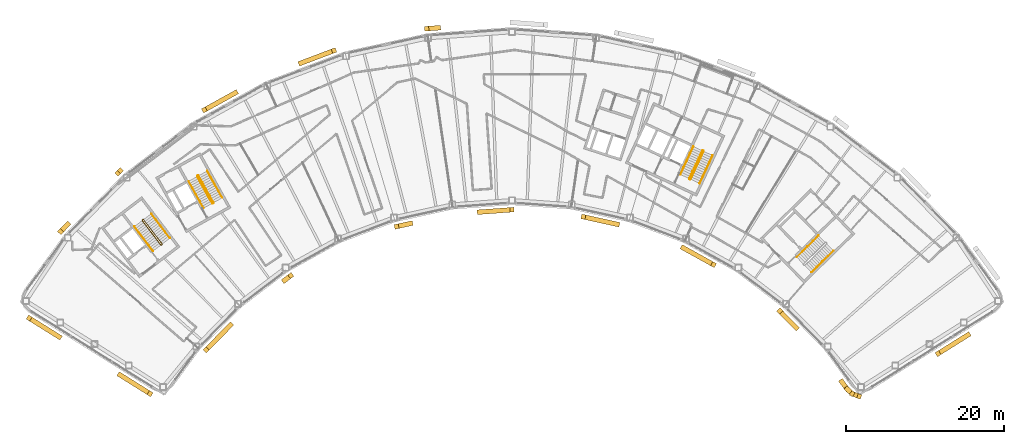
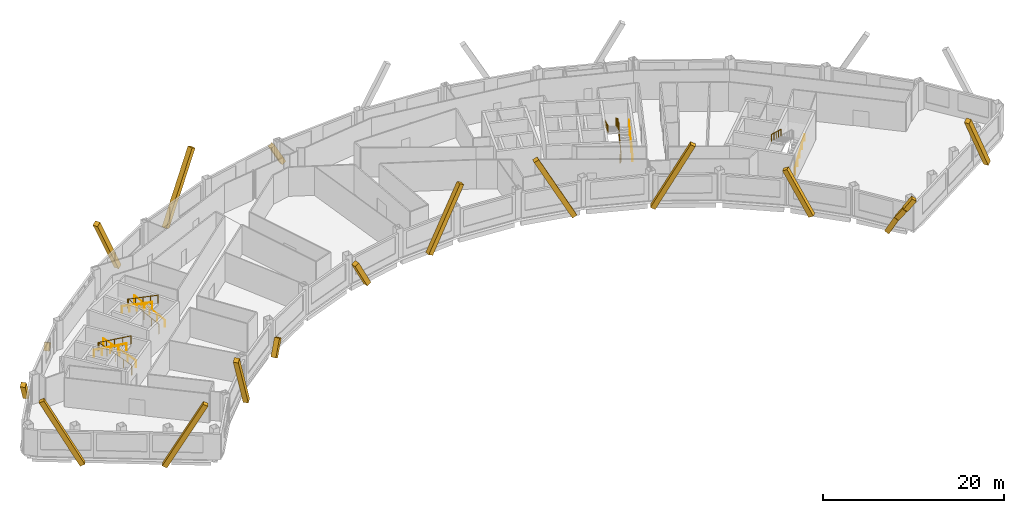
# One storey, part 13 of 14: 18 coverings, 11 railings.
"""IFC4 building model written with IfcOpenShell, lengths in metres."""

import ifcopenshell
import ifcopenshell.guid

model = None  # the IFC model being written
_history = None  # IfcOwnerHistory: only IFC2X3 demands one
_inside = {}  # id of a spatial element -> (the spatial element, [elements in it])
_under = {}  # id of a project, library or spatial element -> (it, [spatial elements below it])
_declared = {}  # id of a project -> (the project, [libraries it declares])
_typed = {}  # id of a type object -> (the type object, [elements of that type])
_made_of = {}  # id of a material, layer set ... -> (it, [elements and type objects made of it])


def new_model(schema):
    """Start an empty IFC model of exactly this schema.

    Asked for "IFC4X3", IfcOpenShell would pick the latest addendum, in which some entities
    have other attributes; the version numbers below select the first issue.
    IFC2X3 requires an IfcOwnerHistory on every rooted entity: one is made here for all.
    """
    global model, _history
    if schema == "IFC4X3":
        model = ifcopenshell.file(schema_version=(4, 3, 0, 0))
    else:
        model = ifcopenshell.file(schema=schema)
    _inside.clear()
    _under.clear()
    _declared.clear()
    _typed.clear()
    _made_of.clear()
    _history = None
    if model.schema == "IFC2X3":
        org = make("IfcOrganization", Name="unknown")
        user = make(
            "IfcPersonAndOrganization",
            ThePerson=make("IfcPerson", FamilyName="unknown"),
            TheOrganization=org,
        )
        app = make(
            "IfcApplication",
            ApplicationDeveloper=org,
            Version="unknown",
            ApplicationFullName="unknown",
            ApplicationIdentifier="unknown",
        )
        _history = make(
            "IfcOwnerHistory",
            OwningUser=user,
            OwningApplication=app,
            ChangeAction="ADDED",
            CreationDate=0,
        )
    return model


def make(cls, **values):
    """One entity of the class cls with the attributes given. An attribute that is None is left unset."""
    return model.create_entity(
        cls, **{name: value for name, value in values.items() if value is not None}
    )


def rooted(cls, **values):
    """An entity with a GlobalId (a new one), such as an element, a storey or a relation."""
    return make(cls, GlobalId=ifcopenshell.guid.new(), OwnerHistory=_history, **values)


def si_unit(unit_type, name, prefix=None):
    """IfcSIUnit, for example si_unit("LENGTHUNIT", "METRE", prefix="MILLI")."""
    return make("IfcSIUnit", UnitType=unit_type, Prefix=prefix, Name=name)


def assignment(units):
    """IfcUnitAssignment: the units of a project."""
    return None if units is None else make("IfcUnitAssignment", Units=units)


def point(xyz):
    """IfcCartesianPoint."""
    return None if xyz is None else make("IfcCartesianPoint", Coordinates=xyz)


def direction(xyz):
    """IfcDirection."""
    return None if xyz is None else make("IfcDirection", DirectionRatios=xyz)


def frame(location, z_axis=None, x_axis=None):
    """IfcAxis2Placement3D, a coordinate frame: its origin and axes. An axis left out is left unset."""
    return make(
        "IfcAxis2Placement3D",
        Location=point(location),
        Axis=direction(z_axis),
        RefDirection=direction(x_axis),
    )


def frame_2d(location, x_axis=None):
    """IfcAxis2Placement2D, a coordinate frame in the plane: its origin and x axis."""
    return make(
        "IfcAxis2Placement2D", Location=point(location), RefDirection=direction(x_axis)
    )


def origin():
    """The frame at (0, 0, 0) with its axes left unset."""
    return frame((0.0, 0.0, 0.0))


def origin_2d():
    """The frame at (0, 0) in the plane with its x axis left unset."""
    return frame_2d((0.0, 0.0))


def place(relative_to, where):
    """IfcLocalPlacement: puts the frame where relative to a parent placement (None: the world)."""
    return make(
        "IfcLocalPlacement", PlacementRelTo=relative_to, RelativePlacement=where
    )


def context(
    kind, dimensions, precision=None, world=None, true_north=None, identifier=None
):
    """IfcGeometricRepresentationContext, for example the 3D "Model" context."""
    return make(
        "IfcGeometricRepresentationContext",
        ContextIdentifier=identifier,
        ContextType=kind,
        CoordinateSpaceDimension=dimensions,
        Precision=precision,
        WorldCoordinateSystem=world,
        TrueNorth=true_north,
    )


def subcontext(parent, identifier, kind, view, scale=None):
    """IfcGeometricRepresentationSubContext, for example "Body" below "Model"."""
    return make(
        "IfcGeometricRepresentationSubContext",
        ContextIdentifier=identifier,
        ContextType=kind,
        ParentContext=parent,
        TargetScale=scale,
        TargetView=view,
    )


def project(units=None, contexts=None):
    """IfcProject with its units and contexts."""
    return rooted(
        "IfcProject",
        Name="project",
        RepresentationContexts=contexts,
        UnitsInContext=assignment(units),
    )


def spatial(cls, under=None, at=None, **own):
    """A site, building, storey or space (cls), placed at a placement, below another one or the project."""
    s = rooted(cls, ObjectPlacement=at, **own)
    if under is not None:
        _under.setdefault(under.id(), (under, []))[1].append(s)
    return s


def profile(cls, at=None, kind="AREA", **sizes):
    """A parametric profile (cls). Its sizes go by their IFC names, for example OverallWidth=200.0."""
    return make(cls, ProfileType=kind, Position=at, **sizes)


def rectangle(**sizes):
    """IfcRectangleProfileDef."""
    return profile("IfcRectangleProfileDef", **sizes)


def circle(**sizes):
    """IfcCircleProfileDef."""
    return profile("IfcCircleProfileDef", **sizes)


def extrude(swept, where, along, depth):
    """IfcExtrudedAreaSolid: the profile swept, set in the frame where, extruded along a direction by depth."""
    return make(
        "IfcExtrudedAreaSolid",
        SweptArea=swept,
        Position=where,
        ExtrudedDirection=direction(along),
        Depth=depth,
    )


def shape(context_of_items, identifier, shape_type, items):
    """IfcShapeRepresentation: the items that make up one representation, for example the "Body"."""
    return make(
        "IfcShapeRepresentation",
        ContextOfItems=context_of_items,
        RepresentationIdentifier=identifier,
        RepresentationType=shape_type,
        Items=items,
    )


def material(Name=None, Category=None):
    """IfcMaterial."""
    return make("IfcMaterial", Name=Name, Category=Category)


def material_profile(
    of_material, cross_section, Name=None, Category=None, Priority=None
):
    """IfcMaterialProfile: a cross section and its material."""
    return make(
        "IfcMaterialProfile",
        Name=Name,
        Material=of_material,
        Profile=cross_section,
        Priority=Priority,
        Category=Category,
    )


def profile_set(profiles, Name=None, composite=None):
    """IfcMaterialProfileSet."""
    return make(
        "IfcMaterialProfileSet",
        Name=Name,
        MaterialProfiles=profiles,
        CompositeProfile=composite,
    )


def made_of(thing, what):
    """Note that an element or type object is made of a material, layer set ...; save() writes the relation."""
    if what is not None:
        _made_of.setdefault(what.id(), (what, []))[1].append(thing)
    return thing


def type_object(cls, material=None, **own):
    """A type object (cls), such as IfcWallType, which elements share."""
    return made_of(rooted(cls, **own), material)


def element(
    cls,
    number,
    at=None,
    inside=None,
    cuts=None,
    type_object=None,
    material=None,
    context=None,
    identifier="Body",
    shape_type=None,
    held_by="IfcProductDefinitionShape",
    body=None,
    shapes=None,
    **own,
):
    """One element of the class cls, such as IfcWall. Its Tag is "e" and its number.

    at: its placement. inside: the storey or other place that contains it. cuts: it is an
    opening in that element (IfcRelVoidsElement). A single representation is given by context,
    identifier, shape_type and body (its items); several are given by shapes. held_by: the class
    of the entity that holds the representations. save() writes the other relations.
    """
    e = rooted(cls, Tag="e%d" % number, ObjectPlacement=at, **own)
    if body is not None:
        shapes = [shape(context, identifier, shape_type, body)]
    if shapes is not None:
        e.Representation = make(held_by, Representations=shapes)
    if inside is not None:
        _inside.setdefault(inside.id(), (inside, []))[1].append(e)
    if cuts is not None:
        rooted(
            "IfcRelVoidsElement", RelatingBuildingElement=cuts, RelatedOpeningElement=e
        )
    if type_object is not None:
        _typed.setdefault(type_object.id(), (type_object, []))[1].append(e)
    return made_of(e, material)


def aggregate(whole, parts):
    """IfcRelAggregates: a whole, such as a stair, and the parts it consists of."""
    return rooted("IfcRelAggregates", RelatingObject=whole, RelatedObjects=parts)


def save(model, path):
    """Write the relations noted so far, then the file.

    IfcRelAggregates (storeys below a building ...), IfcRelContainedInSpatialStructure (elements
    in a storey), IfcRelDefinesByType, IfcRelAssociatesMaterial and IfcRelDeclares: one each for
    every whole, place, type object, material and project.
    """
    for whole, parts in _under.values():
        aggregate(whole, parts)
    for where, things in _inside.values():
        rooted(
            "IfcRelContainedInSpatialStructure",
            RelatedElements=things,
            RelatingStructure=where,
        )
    for kind, things in _typed.values():
        rooted("IfcRelDefinesByType", RelatedObjects=things, RelatingType=kind)
    for what, things in _made_of.values():
        rooted("IfcRelAssociatesMaterial", RelatedObjects=things, RelatingMaterial=what)
    for by, libraries in _declared.values():
        rooted("IfcRelDeclares", RelatingContext=by, RelatedDefinitions=libraries)
    model.write(path)


model = new_model("IFC4")

# Units and contexts
model_context = context("Model", 3, precision=1e-05, world=origin(), true_north=direction((0.0, 1.0)))
body_context = subcontext(model_context, "Body", "Model", "MODEL_VIEW")
ifc_project = project(units=[si_unit("LENGTHUNIT", "METRE"), si_unit("AREAUNIT", "SQUARE_METRE"), si_unit("VOLUMEUNIT", "CUBIC_METRE"), si_unit("PLANEANGLEUNIT", "RADIAN"), si_unit("MASSUNIT", "GRAM", prefix="KILO")], contexts=[model_context])

# Site, building, storey
site_placement = place(None, origin())
site = spatial("IfcSite", under=ifc_project, at=site_placement, CompositionType="ELEMENT")
building_placement = place(site_placement, origin())
building = spatial("IfcBuilding", under=site, at=building_placement, Name="Tuul Gate Civic Tower", CompositionType="ELEMENT")
storey_placement = place(building_placement, frame((0.0, 0.0, 256.800048828125)))
storey = spatial("IfcBuildingStorey", under=building, at=storey_placement, Name="Level 58", CompositionType="ELEMENT", Elevation=256.800048828125)

# Railings
ifc_material_1 = material(Name="Painted steel", Category="steel")
railing_type_1 = type_object("IfcRailingType", Name="Stair guard", PredefinedType="GUARDRAIL", material=ifc_material_1)
railing_1_placement = place(storey_placement, frame((-33.382080078125, -13.515380859375, 0.0)))
element("IfcRailing", 1, at=railing_1_placement, inside=storey, type_object=railing_type_1, Name="Level 58 ST-1 stair guard 1", PredefinedType="GUARDRAIL", context=body_context, shape_type="SweptSolid", body=[
    extrude(circle(Radius=0.02392578125, at=origin_2d()), frame((0.0, 0.0, 1.076171875), z_axis=(-0.795879841968, -0.605454603706, 0.0), x_axis=(0.605454603706, -0.795879841968, 0.0)), (0.0, 0.0, 1.0), 0.10009765625),
    extrude(circle(Radius=0.02392578125, at=origin_2d()), frame((-0.07958984375, -0.060546875, 1.076171875), z_axis=(0.408991890351, 0.599481263939, 0.688002796371), x_axis=(-0.826063974707, 0.563576356576, 0.0)), (0.0, 0.0, 1.0), 0.2177734375),
    extrude(circle(Radius=0.02392578125, at=origin_2d()), frame((0.009521484375, 0.070068359375, 1.22607421875), z_axis=(-0.541824460341, 0.711645023348, 0.447199748346), x_axis=(-0.795637165283, -0.60577347352, 0.0)), (0.0, 0.0, 1.0), 4.3603515625),
    extrude(circle(Radius=0.02392578125, at=origin_2d()), frame((-2.35302734375, 3.173095703125, 3.17578125), z_axis=(-0.990893089246, 0.134650977284, 0.0), x_axis=(-0.134650977284, -0.990893089246, 0.0)), (0.0, 0.0, 1.0), 0.07080078125),
    extrude(circle(Radius=0.02392578125, at=origin_2d()), frame((-2.423095703125, 3.1826171875, 3.17578125), z_axis=(-0.793802879778, -0.60817512943, 0.0), x_axis=(0.60817512943, -0.793802879778, 0.0)), (0.0, 0.0, 1.0), 0.099853515625),
    extrude(circle(Radius=0.02392578125, at=origin_2d()), frame((-2.50244140625, 3.121826171875, 3.17578125), z_axis=(-0.057370624079, -0.422188951554, 0.904690610473), x_axis=(0.990893089246, -0.134650977284, 0.0)), (0.0, 0.0, 1.0), 0.166015625),
    extrude(circle(Radius=0.02392578125, at=origin_2d()), frame((-2.511962890625, 3.0517578125, 3.326171875), z_axis=(0.541806494602, -0.71163897684, 0.447231136047), x_axis=(0.795644365679, 0.605764016233, 0.0)), (0.0, 0.0, 1.0), 4.360107421875),
    extrude(circle(Radius=0.02099609375, at=origin_2d()), origin(), (0.0, 0.0, 1.0), 1.052001953125),
    extrude(circle(Radius=0.02099609375, at=origin_2d()), frame((-0.07958984375, -0.060546875, 0.0)), (0.0, 0.0, 1.0), 1.052001953125),
    extrude(circle(Radius=0.02099609375, at=origin_2d()), frame((0.009521484375, 0.070068359375, 0.14990234375)), (0.0, 0.0, 1.0), 1.052001953125),
    extrude(circle(Radius=0.02099609375, at=origin_2d()), frame((-0.5810546875, 0.845703125, 0.637451171875)), (0.0, 0.0, 1.0), 1.052001953125),
    extrude(circle(Radius=0.02099609375, at=origin_2d()), frame((-1.171875, 1.62158203125, 1.125)), (0.0, 0.0, 1.0), 1.052001953125),
    extrude(circle(Radius=0.02099609375, at=origin_2d()), frame((-1.762451171875, 2.3974609375, 1.6123046875)), (0.0, 0.0, 1.0), 1.052001953125),
    extrude(circle(Radius=0.02099609375, at=origin_2d()), frame((-2.35302734375, 3.173095703125, 2.099853515625)), (0.0, 0.0, 1.0), 1.052001953125),
    extrude(circle(Radius=0.02099609375, at=origin_2d()), frame((-2.423095703125, 3.1826171875, 2.099853515625)), (0.0, 0.0, 1.0), 1.052001953125),
    extrude(circle(Radius=0.02099609375, at=origin_2d()), frame((-2.50244140625, 3.121826171875, 2.099853515625)), (0.0, 0.0, 1.0), 1.052001953125),
    extrude(circle(Radius=0.02099609375, at=origin_2d()), frame((-2.511962890625, 3.0517578125, 2.25)), (0.0, 0.0, 1.0), 1.052001953125),
    extrude(circle(Radius=0.02099609375, at=origin_2d()), frame((-1.92138671875, 2.276123046875, 2.737548828125)), (0.0, 0.0, 1.0), 1.052001953125),
    extrude(circle(Radius=0.02099609375, at=origin_2d()), frame((-1.330810546875, 1.50048828125, 3.22509765625)), (0.0, 0.0, 1.0), 1.052001953125),
    extrude(circle(Radius=0.02099609375, at=origin_2d()), frame((-0.740234375, 0.724609375, 3.71240234375)), (0.0, 0.0, 1.0), 1.052001953125),
    extrude(circle(Radius=0.02099609375, at=origin_2d()), frame((-0.149658203125, -0.051025390625, 4.199951171875)), (0.0, 0.0, 1.0), 1.052001953125),
])
railing_2_placement = place(storey_placement, frame((-26.857666015625, -8.247314453125, 0.0)))
element("IfcRailing", 2, at=railing_2_placement, inside=storey, type_object=railing_type_1, Name="Level 58 ST-2 stair guard 1", PredefinedType="GUARDRAIL", context=body_context, shape_type="SweptSolid", body=[
    extrude(circle(Radius=0.02392578125, at=origin_2d()), frame((0.0, 0.0, 1.076171875), z_axis=(-0.874616555828, -0.48481530532, 0.0), x_axis=(0.48481530532, -0.874616555828, 0.0)), (0.0, 0.0, 1.0), 0.10009765625),
    extrude(circle(Radius=0.02392578125, at=origin_2d()), frame((-0.087646484375, -0.048583984375, 1.076171875), z_axis=(0.49081399482, 0.534516610797, 0.688036056665), x_axis=(-0.736576986774, 0.676353711126, 0.0)), (0.0, 0.0, 1.0), 0.2177734375),
    extrude(circle(Radius=0.02392578125, at=origin_2d()), frame((0.019287109375, 0.06787109375, 1.22607421875), z_axis=(-0.43354991378, 0.782327185242, 0.447212083348), x_axis=(-0.874667644053, -0.484723129681, 0.0)), (0.0, 0.0, 1.0), 4.3603515625),
    extrude(circle(Radius=0.02392578125, at=origin_2d()), frame((-1.87109375, 3.47900390625, 3.17578125), z_axis=(-0.961263487578, 0.275631107549, 0.0), x_axis=(-0.275631107549, -0.961263487578, 0.0)), (0.0, 0.0, 1.0), 0.07080078125),
    extrude(circle(Radius=0.02392578125, at=origin_2d()), frame((-1.939208984375, 3.49853515625, 3.17578125), z_axis=(-0.874042088414, -0.485850211157, 0.0), x_axis=(0.485850211157, -0.874042088414, 0.0)), (0.0, 0.0, 1.0), 0.10009765625),
    extrude(circle(Radius=0.02392578125, at=origin_2d()), frame((-2.026611328125, 3.449951171875, 3.17578125), z_axis=(-0.117709570447, -0.409040757305, 0.904892322815), x_axis=(0.961000426733, -0.276546885391, 0.0)), (0.0, 0.0, 1.0), 0.166015625),
    extrude(circle(Radius=0.02392578125, at=origin_2d()), frame((-2.046142578125, 3.382080078125, 3.326171875), z_axis=(0.433595379963, -0.782308193291, 0.447201226726), x_axis=(0.874641102302, 0.484771020343, 0.0)), (0.0, 0.0, 1.0), 4.3603515625),
    extrude(circle(Radius=0.02099609375, at=origin_2d()), origin(), (0.0, 0.0, 1.0), 1.052001953125),
    extrude(circle(Radius=0.02099609375, at=origin_2d()), frame((-0.087646484375, -0.048583984375, 0.0)), (0.0, 0.0, 1.0), 1.052001953125),
    extrude(circle(Radius=0.02099609375, at=origin_2d()), frame((0.019287109375, 0.06787109375, 0.14990234375)), (0.0, 0.0, 1.0), 1.052001953125),
    extrude(circle(Radius=0.02099609375, at=origin_2d()), frame((-0.453369140625, 0.920654296875, 0.637451171875)), (0.0, 0.0, 1.0), 1.052001953125),
    extrude(circle(Radius=0.02099609375, at=origin_2d()), frame((-0.92578125, 1.7734375, 1.125)), (0.0, 0.0, 1.0), 1.052001953125),
    extrude(circle(Radius=0.02099609375, at=origin_2d()), frame((-1.3984375, 2.626220703125, 1.6123046875)), (0.0, 0.0, 1.0), 1.052001953125),
    extrude(circle(Radius=0.02099609375, at=origin_2d()), frame((-1.87109375, 3.47900390625, 2.099853515625)), (0.0, 0.0, 1.0), 1.052001953125),
    extrude(circle(Radius=0.02099609375, at=origin_2d()), frame((-1.939208984375, 3.49853515625, 2.099853515625)), (0.0, 0.0, 1.0), 1.052001953125),
    extrude(circle(Radius=0.02099609375, at=origin_2d()), frame((-2.026611328125, 3.449951171875, 2.099853515625)), (0.0, 0.0, 1.0), 1.052001953125),
    extrude(circle(Radius=0.02099609375, at=origin_2d()), frame((-2.046142578125, 3.382080078125, 2.25)), (0.0, 0.0, 1.0), 1.052001953125),
    extrude(circle(Radius=0.02099609375, at=origin_2d()), frame((-1.573486328125, 2.529296875, 2.737548828125)), (0.0, 0.0, 1.0), 1.052001953125),
    extrude(circle(Radius=0.02099609375, at=origin_2d()), frame((-1.100830078125, 1.676513671875, 3.22509765625)), (0.0, 0.0, 1.0), 1.052001953125),
    extrude(circle(Radius=0.02099609375, at=origin_2d()), frame((-0.628173828125, 0.82373046875, 3.71240234375)), (0.0, 0.0, 1.0), 1.052001953125),
    extrude(circle(Radius=0.02099609375, at=origin_2d()), frame((-0.155517578125, -0.029052734375, 4.199951171875)), (0.0, 0.0, 1.0), 1.052001953125),
])
railing_3_placement = place(storey_placement, frame((33.645751953125, -5.238525390625, 0.0)))
element("IfcRailing", 3, at=railing_3_placement, inside=storey, type_object=railing_type_1, Name="Level 58 ST-4 stair guard 1", PredefinedType="GUARDRAIL", context=body_context, shape_type="SweptSolid", body=[
    extrude(circle(Radius=0.02392578125, at=origin_2d()), frame((0.0, 0.0, 1.076171875), z_axis=(-0.906307919131, 0.422617978463, 0.0), x_axis=(-0.422617978463, -0.906307919131, 0.0)), (0.0, 0.0, 1.0), 0.099853515625),
    extrude(circle(Radius=0.02392578125, at=origin_2d()), frame((-0.090576171875, 0.042236328125, 1.076171875), z_axis=(0.720735628292, -0.082946246491, 0.688229666829), x_axis=(0.114330889033, 0.993442724979, 0.0)), (0.0, 0.0, 1.0), 0.2177734375),
    extrude(circle(Radius=0.02392578125, at=origin_2d()), frame((0.06640625, 0.024169921875, 1.22607421875), z_axis=(0.377946903738, 0.810654114417, 0.447209173356), x_axis=(-0.906336612539, 0.422556439746, 0.0)), (0.0, 0.0, 1.0), 4.3603515625),
    extrude(circle(Radius=0.02392578125, at=origin_2d()), frame((1.71435546875, 3.558837890625, 3.17578125), z_axis=(-0.342020437038, 0.939692513883, 0.0), x_axis=(-0.939692513883, -0.342020437038, 0.0)), (0.0, 0.0, 1.0), 0.070556640625),
    extrude(circle(Radius=0.02392578125, at=origin_2d()), frame((1.690185546875, 3.625244140625, 3.17578125), z_axis=(-0.906307919131, 0.422617978463, 0.0), x_axis=(-0.422617978463, -0.906307919131, 0.0)), (0.0, 0.0, 1.0), 0.099853515625),
    extrude(circle(Radius=0.02392578125, at=origin_2d()), frame((1.599609375, 3.66748046875, 3.17578125), z_axis=(-0.400168791901, -0.145649670582, 0.904793408159), x_axis=(0.342020437038, -0.939692513883, 0.0)), (0.0, 0.0, 1.0), 0.166015625),
    extrude(circle(Radius=0.02392578125, at=origin_2d()), frame((1.533203125, 3.643310546875, 3.326171875), z_axis=(-0.377946903738, -0.810654114417, 0.447209173356), x_axis=(0.906336612539, -0.422556439746, 0.0)), (0.0, 0.0, 1.0), 4.3603515625),
    extrude(circle(Radius=0.02099609375, at=origin_2d()), origin(), (0.0, 0.0, 1.0), 1.052001953125),
    extrude(circle(Radius=0.02099609375, at=origin_2d()), frame((-0.090576171875, 0.042236328125, 0.0)), (0.0, 0.0, 1.0), 1.052001953125),
    extrude(circle(Radius=0.02099609375, at=origin_2d()), frame((0.06640625, 0.024169921875, 0.14990234375)), (0.0, 0.0, 1.0), 1.052001953125),
    extrude(circle(Radius=0.02099609375, at=origin_2d()), frame((0.478515625, 0.90771484375, 0.637451171875)), (0.0, 0.0, 1.0), 1.052001953125),
    extrude(circle(Radius=0.02099609375, at=origin_2d()), frame((0.890380859375, 1.79150390625, 1.125)), (0.0, 0.0, 1.0), 1.052001953125),
    extrude(circle(Radius=0.02099609375, at=origin_2d()), frame((1.30224609375, 2.67529296875, 1.6123046875)), (0.0, 0.0, 1.0), 1.052001953125),
    extrude(circle(Radius=0.02099609375, at=origin_2d()), frame((1.71435546875, 3.558837890625, 2.099853515625)), (0.0, 0.0, 1.0), 1.052001953125),
    extrude(circle(Radius=0.02099609375, at=origin_2d()), frame((1.690185546875, 3.625244140625, 2.099853515625)), (0.0, 0.0, 1.0), 1.052001953125),
    extrude(circle(Radius=0.02099609375, at=origin_2d()), frame((1.599609375, 3.66748046875, 2.099853515625)), (0.0, 0.0, 1.0), 1.052001953125),
    extrude(circle(Radius=0.02099609375, at=origin_2d()), frame((1.533203125, 3.643310546875, 2.25)), (0.0, 0.0, 1.0), 1.052001953125),
    extrude(circle(Radius=0.02099609375, at=origin_2d()), frame((1.12109375, 2.759765625, 2.737548828125)), (0.0, 0.0, 1.0), 1.052001953125),
    extrude(circle(Radius=0.02099609375, at=origin_2d()), frame((0.709228515625, 1.8759765625, 3.22509765625)), (0.0, 0.0, 1.0), 1.052001953125),
    extrude(circle(Radius=0.02099609375, at=origin_2d()), frame((0.29736328125, 0.9921875, 3.71240234375)), (0.0, 0.0, 1.0), 1.052001953125),
    extrude(circle(Radius=0.02099609375, at=origin_2d()), frame((-0.11474609375, 0.108642578125, 4.199951171875)), (0.0, 0.0, 1.0), 1.052001953125),
])
ifc_material_2 = material(Name="Painted steel", Category="steel")
railing_type_2 = type_object("IfcRailingType", Name="Stair handrail", PredefinedType="HANDRAIL", material=ifc_material_2)
railing_4_placement = place(storey_placement, frame((-32.3779296875, -12.688232421875, 0.14990234375)))
element("IfcRailing", 4, at=railing_4_placement, inside=storey, type_object=railing_type_2, Name="Level 58 ST-1 stair handrail 1", PredefinedType="HANDRAIL", context=body_context, shape_type="SweptSolid", body=[
    extrude(circle(Radius=0.02392578125, at=origin_2d()), frame((0.0, 0.0, 0.8759765625), z_axis=(-0.541824460341, 0.711645023348, 0.447199748346), x_axis=(-0.795637165283, -0.60577347352, 0.0)), (0.0, 0.0, 1.0), 4.3603515625),
    extrude(circle(Radius=0.02099609375, at=origin_2d()), origin(), (0.0, 0.0, 1.0), 0.851806640625),
    extrude(circle(Radius=0.02099609375, at=origin_2d()), frame((-0.590576171875, 0.77587890625, 0.487548828125)), (0.0, 0.0, 1.0), 0.851806640625),
    extrude(circle(Radius=0.02099609375, at=origin_2d()), frame((-1.18115234375, 1.551513671875, 0.97509765625)), (0.0, 0.0, 1.0), 0.851806640625),
    extrude(circle(Radius=0.02099609375, at=origin_2d()), frame((-1.77197265625, 2.3271484375, 1.46240234375)), (0.0, 0.0, 1.0), 0.851806640625),
    extrude(circle(Radius=0.02099609375, at=origin_2d()), frame((-2.362548828125, 3.10302734375, 1.949951171875)), (0.0, 0.0, 1.0), 0.851806640625),
])
railing_5_placement = place(storey_placement, frame((-36.888671875, -11.220703125, 2.25)))
element("IfcRailing", 5, at=railing_5_placement, inside=storey, type_object=railing_type_2, Name="Level 58 ST-1 stair handrail 2", PredefinedType="HANDRAIL", context=body_context, shape_type="SweptSolid", body=[
    extrude(circle(Radius=0.02392578125, at=origin_2d()), frame((0.0, 0.0, 0.8759765625), z_axis=(0.541824460341, -0.711645023348, 0.447199748346), x_axis=(0.795637165283, 0.60577347352, 0.0)), (0.0, 0.0, 1.0), 4.3603515625),
    extrude(circle(Radius=0.02099609375, at=origin_2d()), origin(), (0.0, 0.0, 1.0), 0.851806640625),
    extrude(circle(Radius=0.02099609375, at=origin_2d()), frame((0.590576171875, -0.77587890625, 0.487548828125)), (0.0, 0.0, 1.0), 0.851806640625),
    extrude(circle(Radius=0.02099609375, at=origin_2d()), frame((1.18115234375, -1.551513671875, 0.97509765625)), (0.0, 0.0, 1.0), 0.851806640625),
    extrude(circle(Radius=0.02099609375, at=origin_2d()), frame((1.77197265625, -2.3271484375, 1.46240234375)), (0.0, 0.0, 1.0), 0.851806640625),
    extrude(circle(Radius=0.02099609375, at=origin_2d()), frame((2.362548828125, -3.10302734375, 1.949951171875)), (0.0, 0.0, 1.0), 0.851806640625),
])
railing_6_placement = place(storey_placement, frame((-25.744873046875, -7.573486328125, 0.14990234375)))
element("IfcRailing", 6, at=railing_6_placement, inside=storey, type_object=railing_type_2, Name="Level 58 ST-2 stair handrail 1", PredefinedType="HANDRAIL", context=body_context, shape_type="SweptSolid", body=[
    extrude(circle(Radius=0.02392578125, at=origin_2d()), frame((0.0, 0.0, 0.8759765625), z_axis=(-0.433595379963, 0.782308193291, 0.447201226726), x_axis=(-0.874641102302, -0.484771020343, 0.0)), (0.0, 0.0, 1.0), 4.3603515625),
    extrude(circle(Radius=0.02099609375, at=origin_2d()), origin(), (0.0, 0.0, 1.0), 0.851806640625),
    extrude(circle(Radius=0.02099609375, at=origin_2d()), frame((-0.47265625, 0.852783203125, 0.487548828125)), (0.0, 0.0, 1.0), 0.851806640625),
    extrude(circle(Radius=0.02099609375, at=origin_2d()), frame((-0.9453125, 1.70556640625, 0.97509765625)), (0.0, 0.0, 1.0), 0.851806640625),
    extrude(circle(Radius=0.02099609375, at=origin_2d()), frame((-1.41796875, 2.558349609375, 1.46240234375)), (0.0, 0.0, 1.0), 0.851806640625),
    extrude(circle(Radius=0.02099609375, at=origin_2d()), frame((-1.890625, 3.4111328125, 1.949951171875)), (0.0, 0.0, 1.0), 0.851806640625),
])
railing_7_placement = place(storey_placement, frame((-29.9970703125, -5.47119140625, 2.25)))
element("IfcRailing", 7, at=railing_7_placement, inside=storey, type_object=railing_type_2, Name="Level 58 ST-2 stair handrail 2", PredefinedType="HANDRAIL", context=body_context, shape_type="SweptSolid", body=[
    extrude(circle(Radius=0.02392578125, at=origin_2d()), frame((0.0, 0.0, 0.8759765625), z_axis=(0.433595379963, -0.782308193291, 0.447201226726), x_axis=(0.874641102302, 0.484771020343, 0.0)), (0.0, 0.0, 1.0), 4.3603515625),
    extrude(circle(Radius=0.02099609375, at=origin_2d()), origin(), (0.0, 0.0, 1.0), 0.851806640625),
    extrude(circle(Radius=0.02099609375, at=origin_2d()), frame((0.47265625, -0.852783203125, 0.487548828125)), (0.0, 0.0, 1.0), 0.851806640625),
    extrude(circle(Radius=0.02099609375, at=origin_2d()), frame((0.9453125, -1.70556640625, 0.97509765625)), (0.0, 0.0, 1.0), 0.851806640625),
    extrude(circle(Radius=0.02099609375, at=origin_2d()), frame((1.41796875, -2.558349609375, 1.46240234375)), (0.0, 0.0, 1.0), 0.851806640625),
    extrude(circle(Radius=0.02099609375, at=origin_2d()), frame((1.890625, -3.4111328125, 1.949951171875)), (0.0, 0.0, 1.0), 0.851806640625),
])
railing_8_placement = place(storey_placement, frame((49.05126953125, -17.028076171875, 0.14990234375)))
element("IfcRailing", 8, at=railing_8_placement, inside=storey, type_object=railing_type_2, Name="Level 58 ST-3 stair handrail 1", PredefinedType="HANDRAIL", context=body_context, shape_type="SweptSolid", body=[
    extrude(circle(Radius=0.02392578125, at=origin_2d()), frame((0.0, 0.0, 0.8759765625), z_axis=(0.638753653487, 0.626099522554, 0.447205945863), x_axis=(-0.699997553204, 0.714145241186, 0.0)), (0.0, 0.0, 1.0), 4.3603515625),
    extrude(circle(Radius=0.02099609375, at=origin_2d()), origin(), (0.0, 0.0, 1.0), 0.851806640625),
    extrude(circle(Radius=0.02099609375, at=origin_2d()), frame((0.6962890625, 0.6826171875, 0.487548828125)), (0.0, 0.0, 1.0), 0.851806640625),
    extrude(circle(Radius=0.02099609375, at=origin_2d()), frame((1.392578125, 1.364990234375, 0.97509765625)), (0.0, 0.0, 1.0), 0.851806640625),
    extrude(circle(Radius=0.02099609375, at=origin_2d()), frame((2.0888671875, 2.04736328125, 1.46240234375)), (0.0, 0.0, 1.0), 0.851806640625),
    extrude(circle(Radius=0.02099609375, at=origin_2d()), frame((2.78515625, 2.72998046875, 1.949951171875)), (0.0, 0.0, 1.0), 0.851806640625),
])
railing_9_placement = place(storey_placement, frame((49.9462890625, -12.369873046875, 2.25)))
element("IfcRailing", 9, at=railing_9_placement, inside=storey, type_object=railing_type_2, Name="Level 58 ST-3 stair handrail 2", PredefinedType="HANDRAIL", context=body_context, shape_type="SweptSolid", body=[
    extrude(circle(Radius=0.02392578125, at=origin_2d()), frame((0.0, 0.0, 0.8759765625), z_axis=(-0.638753653487, -0.626099522554, 0.447205945863), x_axis=(0.699997553204, -0.714145241186, 0.0)), (0.0, 0.0, 1.0), 4.3603515625),
    extrude(circle(Radius=0.02099609375, at=origin_2d()), origin(), (0.0, 0.0, 1.0), 0.851806640625),
    extrude(circle(Radius=0.02099609375, at=origin_2d()), frame((-0.6962890625, -0.6826171875, 0.487548828125)), (0.0, 0.0, 1.0), 0.851806640625),
    extrude(circle(Radius=0.02099609375, at=origin_2d()), frame((-1.392578125, -1.364990234375, 0.97509765625)), (0.0, 0.0, 1.0), 0.851806640625),
    extrude(circle(Radius=0.02099609375, at=origin_2d()), frame((-2.0888671875, -2.04736328125, 1.46240234375)), (0.0, 0.0, 1.0), 0.851806640625),
    extrude(circle(Radius=0.02099609375, at=origin_2d()), frame((-2.78515625, -2.72998046875, 1.949951171875)), (0.0, 0.0, 1.0), 0.851806640625),
])
railing_10_placement = place(storey_placement, frame((34.844970703125, -5.74267578125, 0.14990234375)))
element("IfcRailing", 10, at=railing_10_placement, inside=storey, type_object=railing_type_2, Name="Level 58 ST-4 stair handrail 1", PredefinedType="HANDRAIL", context=body_context, shape_type="SweptSolid", body=[
    extrude(circle(Radius=0.02392578125, at=origin_2d()), frame((0.0, 0.0, 0.8759765625), z_axis=(0.377994896215, 0.810636958585, 0.447199709091), x_axis=(-0.906312636903, 0.422607861012, 0.0)), (0.0, 0.0, 1.0), 4.3603515625),
    extrude(circle(Radius=0.02099609375, at=origin_2d()), origin(), (0.0, 0.0, 1.0), 0.851806640625),
    extrude(circle(Radius=0.02099609375, at=origin_2d()), frame((0.412109375, 0.8837890625, 0.487548828125)), (0.0, 0.0, 1.0), 0.851806640625),
    extrude(circle(Radius=0.02099609375, at=origin_2d()), frame((0.82421875, 1.767333984375, 0.97509765625)), (0.0, 0.0, 1.0), 0.851806640625),
    extrude(circle(Radius=0.02099609375, at=origin_2d()), frame((1.236083984375, 2.65087890625, 1.46240234375)), (0.0, 0.0, 1.0), 0.851806640625),
    extrude(circle(Radius=0.02099609375, at=origin_2d()), frame((1.648193359375, 3.53466796875, 1.949951171875)), (0.0, 0.0, 1.0), 0.851806640625),
])
railing_11_placement = place(storey_placement, frame((34.046142578125, -1.06689453125, 2.25)))
element("IfcRailing", 11, at=railing_11_placement, inside=storey, type_object=railing_type_2, Name="Level 58 ST-4 stair handrail 2", PredefinedType="HANDRAIL", context=body_context, shape_type="SweptSolid", body=[
    extrude(circle(Radius=0.02392578125, at=origin_2d()), frame((0.0, 0.0, 0.8759765625), z_axis=(-0.377994896215, -0.810636958585, 0.447199709091), x_axis=(0.906312636903, -0.422607861012, 0.0)), (0.0, 0.0, 1.0), 4.3603515625),
    extrude(circle(Radius=0.02099609375, at=origin_2d()), origin(), (0.0, 0.0, 1.0), 0.851806640625),
    extrude(circle(Radius=0.02099609375, at=origin_2d()), frame((-0.412109375, -0.8837890625, 0.487548828125)), (0.0, 0.0, 1.0), 0.851806640625),
    extrude(circle(Radius=0.02099609375, at=origin_2d()), frame((-0.82421875, -1.767333984375, 0.97509765625)), (0.0, 0.0, 1.0), 0.851806640625),
    extrude(circle(Radius=0.02099609375, at=origin_2d()), frame((-1.236083984375, -2.65087890625, 1.46240234375)), (0.0, 0.0, 1.0), 0.851806640625),
    extrude(circle(Radius=0.02099609375, at=origin_2d()), frame((-1.648193359375, -3.53466796875, 1.949951171875)), (0.0, 0.0, 1.0), 0.851806640625),
])

# Coverings
ifc_material_3 = material(Name="Terracotta baguette", Category="masonry")
ifc_material_profile = material_profile(ifc_material_3, rectangle(XDim=0.60009765625, YDim=0.60009765625, at=origin_2d()), Name="Terracotta baguette screen frame")
ifc_profile_set = profile_set([ifc_material_profile], Name="Terracotta baguette")
covering_type = type_object("IfcCoveringType", Name="Terracotta baguette screen frame", PredefinedType="CLADDING", material=ifc_profile_set)
covering_1_placement = place(storey_placement, frame((68.93212890625, -24.951171875, -0.35009765625), z_axis=(-0.402283964458, -0.251379504598, 0.880327187248), x_axis=(0.529926214669, -0.848043753002, 0.0)))
element("IfcCovering", 12, at=covering_1_placement, inside=storey, type_object=covering_type, Name="Baguette 3", PredefinedType="CLADDING", context=body_context, shape_type="SweptSolid", body=[
    extrude(rectangle(XDim=0.60009765625, YDim=0.60009765625, at=origin_2d()), origin(), (0.0, 0.0, 1.0), 9.5419921875),
])
covering_2_placement = place(storey_placement, frame((1.71337890625, 14.002197265625, -0.35009765625), z_axis=(-0.473943800677, -0.034347094504, 0.879884964583), x_axis=(0.072281254419, -0.997384289158, 0.0)))
element("IfcCovering", 13, at=covering_2_placement, inside=storey, type_object=covering_type, Name="Baguette 81", PredefinedType="CLADDING", context=body_context, shape_type="SweptSolid", body=[
    extrude(rectangle(XDim=0.60009765625, YDim=0.60009765625, at=origin_2d()), origin(), (0.0, 0.0, 1.0), 3.17724609375),
])
for number, where, z_axis, x_axis, name in (
    (14, (-11.556396484375, 11.115966796875, 8.050048828125), (-0.444439006593, -0.168067964286, -0.879901772245), (0.353711403676, -0.935354608108, 0.0), "Baguette 93"),
    (15, (-24.0419921875, 5.777099609375, -0.35009765625), (-0.415592252992, -0.230339020534, 0.879901707506), (0.484765303515, -0.874644270837, 0.0), "Baguette 102"),
):
    element("IfcCovering", number, at=place(storey_placement, frame(where, z_axis=z_axis, x_axis=x_axis)), inside=storey, type_object=covering_type, Name=name, PredefinedType="CLADDING", context=body_context, shape_type="SweptSolid", body=[
        extrude(rectangle(XDim=0.60009765625, YDim=0.60009765625, at=origin_2d()), origin(), (0.0, 0.0, 1.0), 9.546630859375),
    ])
covering_3_placement = place(storey_placement, frame((-38.66259765625, -4.1142578125, 0.48095703125), z_axis=(-0.332661950864, -0.339382394315, -0.879861134996), x_axis=(0.714142142784, -0.700000714214, 0.0)))
element("IfcCovering", 16, at=covering_3_placement, inside=storey, type_object=covering_type, Name="Baguette 112", PredefinedType="CLADDING", context=body_context, shape_type="SweptSolid", body=[
    extrude(rectangle(XDim=0.60009765625, YDim=0.60009765625, at=origin_2d()), origin(), (0.0, 0.0, 1.0), 0.944580078125),
])
covering_4_placement = place(storey_placement, frame((-45.327392578125, -10.913818359375, -0.35009765625), z_axis=(-0.332577943588, -0.339292285921, 0.879927642567), x_axis=(0.714137600713, -0.700005348013, 0.0)))
element("IfcCovering", 17, at=covering_4_placement, inside=storey, type_object=covering_type, Name="Baguette 123", PredefinedType="CLADDING", context=body_context, shape_type="SweptSolid", body=[
    extrude(rectangle(XDim=0.60009765625, YDim=0.60009765625, at=origin_2d()), origin(), (0.0, 0.0, 1.0), 2.7998046875),
])
for number, where, z_axis, x_axis, name in (
    (18, (-50.252197265625, -22.83740234375, 8.050048828125), (0.402259931621, -0.251406060814, -0.880330585631), (0.529989243351, 0.848004364336, 0.0), "Baguette 147"),
    (19, (-38.736572265625, -30.033935546875, -0.35009765625), (0.402283964458, -0.251379504598, 0.880327187248), (0.529926214669, 0.848043753002, 0.0), "Baguette 154"),
):
    element("IfcCovering", number, at=place(storey_placement, frame(where, z_axis=z_axis, x_axis=x_axis)), inside=storey, type_object=covering_type, Name=name, PredefinedType="CLADDING", context=body_context, shape_type="SweptSolid", body=[
        extrude(rectangle(XDim=0.60009765625, YDim=0.60009765625, at=origin_2d()), origin(), (0.0, 0.0, 1.0), 9.5419921875),
    ])
covering_5_placement = place(storey_placement, frame((-27.77490234375, -26.863525390625, 8.050048828125), z_axis=(0.326323130561, 0.332879934461, -0.884705693264), x_axis=(-0.714104738574, 0.700038872025, 0.0)))
element("IfcCovering", 20, at=covering_5_placement, inside=storey, type_object=covering_type, Name="Baguette 178", PredefinedType="CLADDING", context=body_context, shape_type="SweptSolid", body=[
    extrude(rectangle(XDim=0.60009765625, YDim=0.60009765625, at=origin_2d()), origin(), (0.0, 0.0, 1.0), 9.494873046875),
])
covering_6_placement = place(storey_placement, frame((-17.870849609375, -18.07177734375, -0.35009765625), z_axis=(0.370881245269, 0.282400197892, 0.884701774689), x_axis=(-0.605804319563, 0.795613679118, 0.0)))
element("IfcCovering", 21, at=covering_6_placement, inside=storey, type_object=covering_type, Name="Baguette 188", PredefinedType="CLADDING", context=body_context, shape_type="SweptSolid", body=[
    extrude(rectangle(XDim=0.60009765625, YDim=0.60009765625, at=origin_2d()), origin(), (0.0, 0.0, 1.0), 2.24609375),
])
covering_7_placement = place(storey_placement, frame((-3.611572265625, -11.216796875, 3.10546875), z_axis=(0.455231406163, 0.100259669846, -0.884710328551), x_axis=(-0.215084326604, 0.976595480457, 0.0)))
element("IfcCovering", 22, at=covering_7_placement, inside=storey, type_object=covering_type, Name="Baguette 201", PredefinedType="CLADDING", context=body_context, shape_type="SweptSolid", body=[
    extrude(rectangle(XDim=0.60009765625, YDim=0.60009765625, at=origin_2d()), origin(), (0.0, 0.0, 1.0), 3.90576171875),
])
covering_8_placement = place(storey_placement, frame((6.87890625, -9.3857421875, -0.35009765625), z_axis=(0.464944641093, 0.033680943013, 0.88469886108), x_axis=(-0.072251432136, 0.997386449955, 0.0)))
element("IfcCovering", 23, at=covering_8_placement, inside=storey, type_object=covering_type, Name="Baguette 214", PredefinedType="CLADDING", context=body_context, shape_type="SweptSolid", body=[
    extrude(rectangle(XDim=0.60009765625, YDim=0.60009765625, at=origin_2d()), origin(), (0.0, 0.0, 1.0), 8.930419921875),
])
for number, where, z_axis, x_axis, name in (
    (24, (20.0869140625, -9.986083984375, 8.050048828125), (0.455225007658, -0.100281152839, -0.884711186087), (0.215131164625, 0.976585163725, 0.0), "Baguette 226"),
    (25, (32.733642578125, -13.90869140625, -0.35009765625), (0.407704791436, -0.225991259582, 0.884706026674), (0.484804374507, 0.87462261488, 0.0), "Baguette 237"),
):
    element("IfcCovering", number, at=place(storey_placement, frame(where, z_axis=z_axis, x_axis=x_axis)), inside=storey, type_object=covering_type, Name=name, PredefinedType="CLADDING", context=body_context, shape_type="SweptSolid", body=[
        extrude(rectangle(XDim=0.60009765625, YDim=0.60009765625, at=origin_2d()), origin(), (0.0, 0.0, 1.0), 9.494873046875),
    ])
covering_9_placement = place(storey_placement, frame((45.00146484375, -21.930908203125, 5.358154296875), z_axis=(0.326322306676, -0.332868429016, -0.884710326113), x_axis=(0.714093526358, 0.700050309345, 0.0)))
element("IfcCovering", 26, at=covering_9_placement, inside=storey, type_object=covering_type, Name="Baguette 247", PredefinedType="CLADDING", context=body_context, shape_type="SweptSolid", body=[
    extrude(rectangle(XDim=0.60009765625, YDim=0.60009765625, at=origin_2d()), origin(), (0.0, 0.0, 1.0), 6.4521484375),
])
covering_10_placement = place(storey_placement, frame((52.859619140625, -30.8779296875, -0.35009765625), z_axis=(0.278613707206, -0.381666728311, 0.881308635302), x_axis=(0.807690018687, 0.589607355546, 0.0)))
element("IfcCovering", 27, at=covering_10_placement, inside=storey, type_object=covering_type, Name="Baguette 264", PredefinedType="CLADDING", context=body_context, shape_type="SweptSolid", body=[
    extrude(rectangle(XDim=0.60009765625, YDim=0.60009765625, at=origin_2d()), origin(), (0.0, 0.0, 1.0), 2.437744140625),
])
covering_11_placement = place(storey_placement, frame((53.538818359375, -31.808349609375, 1.79833984375), z_axis=(0.418568484912, -0.391874462144, 0.819289222044), x_axis=(0.683445771731, 0.730001285686, 0.0)))
element("IfcCovering", 28, at=covering_11_placement, inside=storey, type_object=covering_type, Name="Baguette 265", PredefinedType="CLADDING", context=body_context, shape_type="SweptSolid", body=[
    extrude(rectangle(XDim=0.60009765625, YDim=0.60009765625, at=origin_2d()), origin(), (0.0, 0.0, 1.0), 1.572998046875),
])
covering_12_placement = place(storey_placement, frame((54.197265625, -32.4248046875, 3.087158203125), z_axis=(0.560062455363, -0.22194004503, 0.798168317152), x_axis=(0.368405265232, 0.929665294904, 0.0)))
element("IfcCovering", 29, at=covering_12_placement, inside=storey, type_object=covering_type, Name="Baguette 266", PredefinedType="CLADDING", context=body_context, shape_type="SweptSolid", body=[
    extrude(rectangle(XDim=0.60009765625, YDim=0.60009765625, at=origin_2d()), origin(), (0.0, 0.0, 1.0), 1.615966796875),
])

save(model, "model.ifc")
